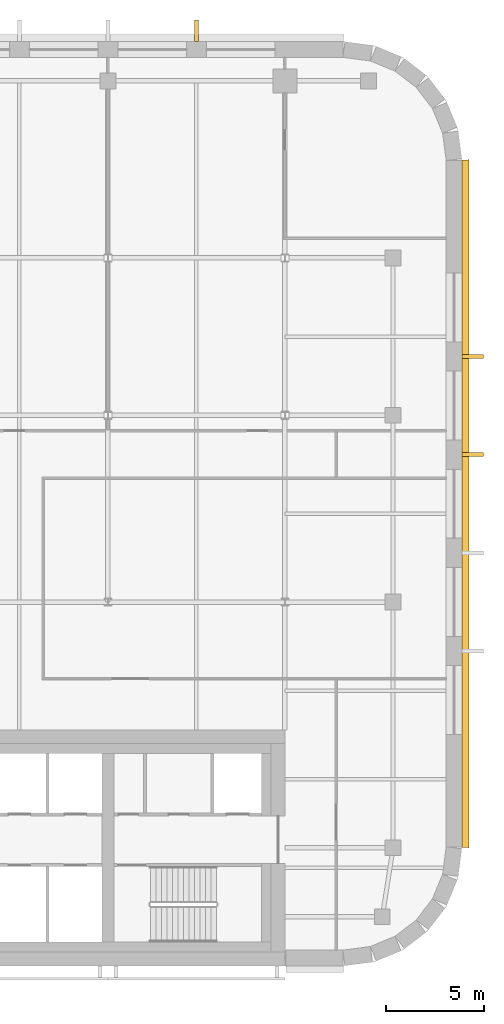
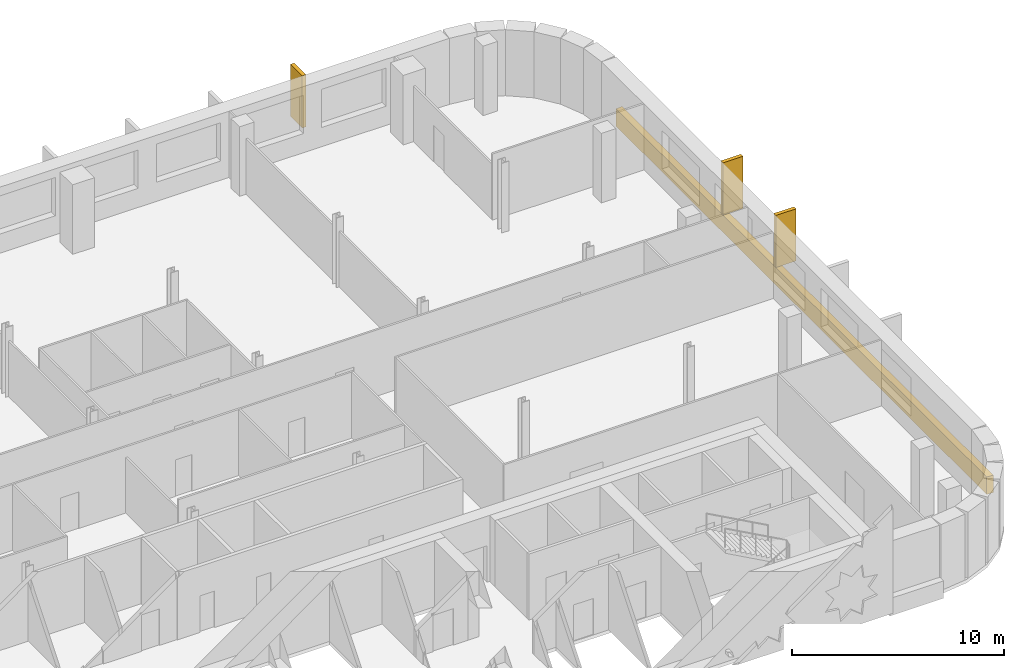
# One storey, part 17 of 17: 4 coverings.
"""IFC4 building model written with IfcOpenShell, lengths in metres."""

from ifc_helpers import new_model, si_unit, direction, frame, origin, place, context, subcontext, project, spatial, polyline, outline, extrude, material, layer, layer_set, type_object, element, save


model = new_model("IFC4")

# Units and contexts
model_context = context("Model", 3, precision=1e-05, world=origin(), true_north=direction((0.0, 1.0)))
body_context = subcontext(model_context, "Body", "Model", "MODEL_VIEW")
ifc_project = project(units=[si_unit("LENGTHUNIT", "METRE"), si_unit("AREAUNIT", "SQUARE_METRE"), si_unit("VOLUMEUNIT", "CUBIC_METRE"), si_unit("PLANEANGLEUNIT", "RADIAN"), si_unit("MASSUNIT", "GRAM", prefix="KILO")], contexts=[model_context])

# Site, building, storey
site_placement = place(None, origin())
site = spatial("IfcSite", under=ifc_project, at=site_placement, CompositionType="ELEMENT")
building_placement = place(site_placement, origin())
building = spatial("IfcBuilding", under=site, at=building_placement, Name="Zellij Exchange Tower", CompositionType="ELEMENT")
storey_placement = place(building_placement, frame((0.0, 0.0, 252.5)))
storey = spatial("IfcBuildingStorey", under=building, at=storey_placement, Name="L59", CompositionType="ELEMENT", Elevation=252.5)

# Coverings
ifc_material = material(Name="Limestone cladding", Category="masonry")
ifc_layer = layer(ifc_material, 0.35009765625)
ifc_layer_set = layer_set([ifc_layer], Name="Limestone cladding")
covering_type_1 = type_object("IfcCoveringType", Name="ENV-CV10 Stone spandrel band 350", PredefinedType="CLADDING", material=ifc_layer_set)
covering_1_placement = place(storey_placement, frame((0.0, 0.0, -0.199951171875)))
element("IfcCovering", 1, at=covering_1_placement, inside=storey, type_object=covering_type_1, Name="Stone spandrel band", PredefinedType="CLADDING", context=body_context, shape_type="SweptSolid", body=[
    extrude(outline(polyline([(36.0, -7.973876953125), (36.0, 26.973876953125), (36.35009765625, 26.99658203125), (36.35009765625, -7.99658203125), (36.0, -7.973876953125)])), origin(), (0.0, 0.0, 1.0), 1.0),
])
covering_type_2 = type_object("IfcCoveringType", Name="ENV-CV6 Stone pier 200x1100", PredefinedType="CLADDING", material=ifc_material)
covering_2_placement = place(storey_placement, frame((0.0, 0.0, 0.800048828125)))
element("IfcCovering", 2, at=covering_2_placement, inside=storey, type_object=covering_type_2, Name="Stone pier", PredefinedType="CLADDING", context=body_context, shape_type="SweptSolid", body=[
    extrude(outline(polyline([(36.0, 11.896240234375), (36.0, 12.09619140625), (37.10009765625, 12.09619140625), (37.10009765625, 11.896240234375), (36.0, 11.896240234375)])), origin(), (0.0, 0.0, 1.0), 3.0),
])
covering_3_placement = place(storey_placement, frame((0.0, 0.0, 0.800048828125)))
element("IfcCovering", 3, at=covering_3_placement, inside=storey, type_object=covering_type_2, Name="Stone pier", PredefinedType="CLADDING", context=body_context, shape_type="SweptSolid", body=[
    extrude(outline(polyline([(36.0, 16.888916015625), (36.0, 17.0888671875), (37.10009765625, 17.0888671875), (37.10009765625, 16.888916015625), (36.0, 16.888916015625)])), origin(), (0.0, 0.0, 1.0), 3.0),
])
covering_4_placement = place(storey_placement, frame((0.0, 0.0, 0.800048828125)))
element("IfcCovering", 4, at=covering_4_placement, inside=storey, type_object=covering_type_2, Name="Stone pier", PredefinedType="CLADDING", context=body_context, shape_type="SweptSolid", body=[
    extrude(outline(polyline([(22.60009765625, 33.0), (22.39990234375, 33.0), (22.39990234375, 34.10009765625), (22.60009765625, 34.10009765625), (22.60009765625, 33.0)])), origin(), (0.0, 0.0, 1.0), 3.0),
])

save(model, "model.ifc")
